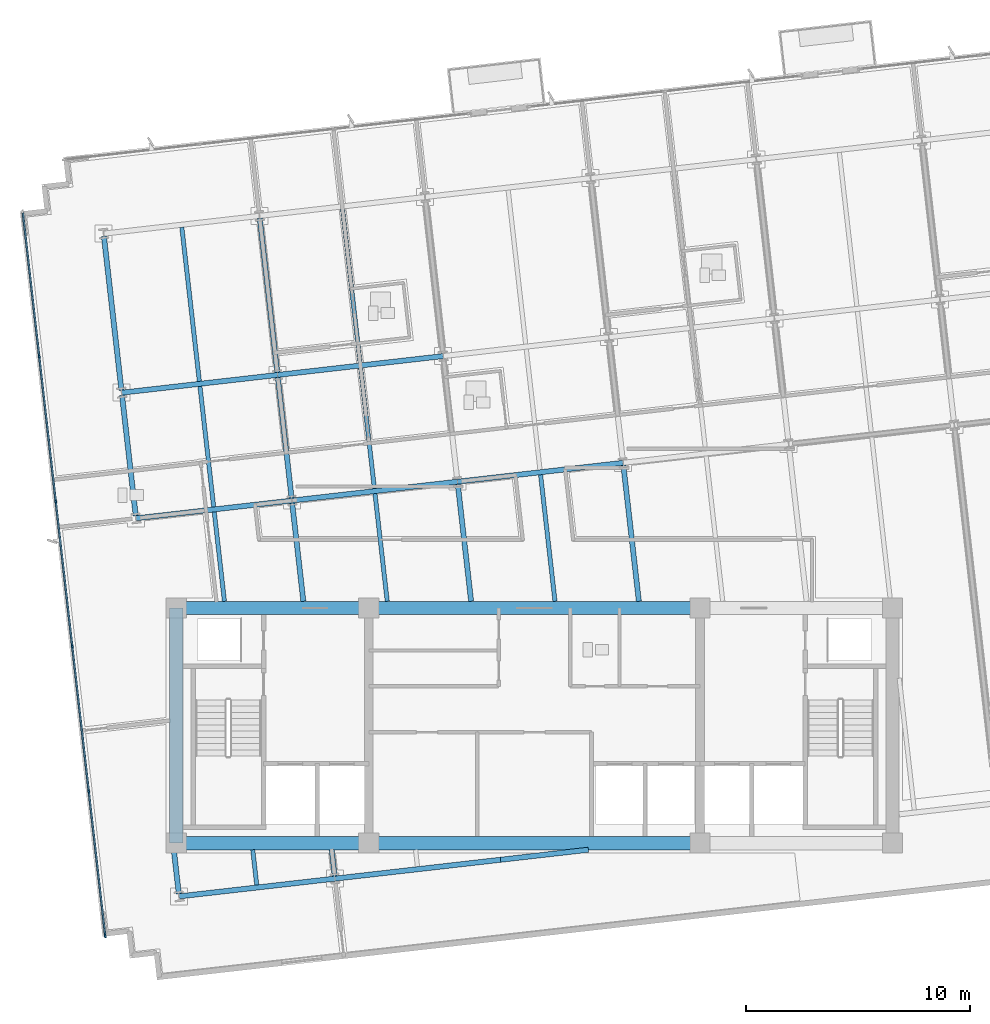
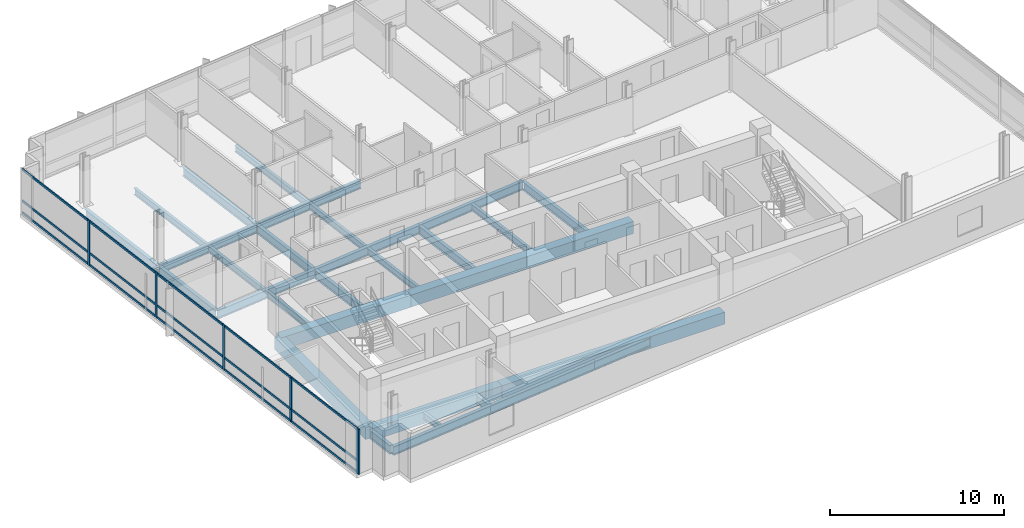
# One storey, part 2 of 16: 30 beams, 20 members, 1 element without a shape of its own.
"""IFC4 building model written with IfcOpenShell, lengths in metres."""

from ifc_helpers import new_model, si_unit, direction, frame, origin, origin_2d, place, context, subcontext, project, spatial, rectangle, i_section, extrude, material, material_profile, profile_set, type_object, element, aggregate, save


model = new_model("IFC4")

# Units and contexts
model_context = context("Model", 3, precision=1e-05, world=origin(), true_north=direction((0.0, 1.0)))
body_context = subcontext(model_context, "Body", "Model", "MODEL_VIEW")
ifc_project = project(units=[si_unit("LENGTHUNIT", "METRE"), si_unit("AREAUNIT", "SQUARE_METRE"), si_unit("VOLUMEUNIT", "CUBIC_METRE"), si_unit("PLANEANGLEUNIT", "RADIAN"), si_unit("MASSUNIT", "GRAM", prefix="KILO")], contexts=[model_context])

# Site, building, storey
site_placement = place(None, origin())
site = spatial("IfcSite", under=ifc_project, at=site_placement, CompositionType="ELEMENT")
building_placement = place(site_placement, origin())
building = spatial("IfcBuilding", under=site, at=building_placement, Name="Solmavex Isthmus Hotel", CompositionType="ELEMENT")
storey_placement = place(building_placement, frame((0.0, 0.0, 205.5)))
storey = spatial("IfcBuildingStorey", under=building, at=storey_placement, Name="L55", CompositionType="ELEMENT", Elevation=205.5)

# Beams
ifc_material_1 = material(Name="Steel ASTM A992 Grade 50", Category="steel")
ifc_material_profile_1 = material_profile(ifc_material_1, i_section(OverallWidth=0.1904296875, OverallDepth=0.456787109375, WebThickness=0.009033203125, FlangeThickness=0.014404296875, FilletRadius=0.0126953125, at=origin_2d()), Name="W18X50")
ifc_profile_set_1 = profile_set([ifc_material_profile_1], Name="Steel ASTM A992 Grade 50")
beam_type_1 = type_object("IfcBeamType", Name="BM-BJ-W18X50", PredefinedType="JOIST", material=ifc_profile_set_1)
beam_1_placement = place(storey_placement, frame((-12.404052734375, -14.872314453125, -0.488525390625), z_axis=(-0.113242002738, 0.993567435465, 0.0), x_axis=(-0.993567435465, -0.113242002738, 0.0)))
element("IfcBeam", 1, at=beam_1_placement, inside=storey, type_object=beam_type_1, Name="Secondary Floor Joist L55-J01", PredefinedType="JOIST", context=body_context, shape_type="SweptSolid", body=[
    extrude(i_section(OverallWidth=0.1904296875, OverallDepth=0.456787109375, WebThickness=0.009033203125, FlangeThickness=0.014404296875, FilletRadius=0.0126953125, at=origin_2d()), origin(), (0.0, 0.0, 1.0), 1.58251953125),
])
beam_2_placement = place(storey_placement, frame((-13.847900390625, -2.199951171875, -0.488525390625), z_axis=(-0.113179724577, 0.993574531651, 0.0), x_axis=(-0.993574531651, -0.113179724577, 0.0)))
element("IfcBeam", 2, at=beam_2_placement, inside=storey, type_object=beam_type_1, Name="Secondary Floor Joist L55-J02", PredefinedType="JOIST", context=body_context, shape_type="SweptSolid", body=[
    extrude(i_section(OverallWidth=0.1904296875, OverallDepth=0.456787109375, WebThickness=0.009033203125, FlangeThickness=0.014404296875, FilletRadius=0.0126953125, at=origin_2d()), origin(), (0.0, 0.0, 1.0), 4.0166015625),
])
beam_3_placement = place(storey_placement, frame((-14.328369140625, 2.01708984375, -0.488525390625), z_axis=(-0.113189626161, 0.993573403695, 0.0), x_axis=(-0.993573403695, -0.113189626161, 0.0)))
element("IfcBeam", 3, at=beam_3_placement, inside=storey, type_object=beam_type_1, Name="Secondary Floor Joist L55-J03", PredefinedType="JOIST", context=body_context, shape_type="SweptSolid", body=[
    extrude(i_section(OverallWidth=0.1904296875, OverallDepth=0.456787109375, WebThickness=0.009033203125, FlangeThickness=0.014404296875, FilletRadius=0.0126953125, at=origin_2d()), origin(), (0.0, 0.0, 1.0), 5.42041015625),
])
beam_4_placement = place(storey_placement, frame((-14.9677734375, 7.62890625, -0.488525390625), z_axis=(-0.113202453846, 0.993571942258, 0.0), x_axis=(-0.993571942258, -0.113202453846, 0.0)))
element("IfcBeam", 4, at=beam_4_placement, inside=storey, type_object=beam_type_1, Name="Secondary Floor Joist L55-J04", PredefinedType="JOIST", context=body_context, shape_type="SweptSolid", body=[
    extrude(i_section(OverallWidth=0.1904296875, OverallDepth=0.456787109375, WebThickness=0.009033203125, FlangeThickness=0.014404296875, FilletRadius=0.0126953125, at=origin_2d()), origin(), (0.0, 0.0, 1.0), 6.9228515625),
])
beam_5_placement = place(storey_placement, frame((-6.57421875, -2.199951171875, -0.488525390625), z_axis=(-0.113193768539, 0.993572931779, 0.0), x_axis=(-0.993572931779, -0.113193768539, 0.0)))
element("IfcBeam", 5, at=beam_5_placement, inside=storey, type_object=beam_type_1, Name="Secondary Floor Joist L55-J06", PredefinedType="JOIST", context=body_context, shape_type="SweptSolid", body=[
    extrude(i_section(OverallWidth=0.1904296875, OverallDepth=0.456787109375, WebThickness=0.009033203125, FlangeThickness=0.014404296875, FilletRadius=0.0126953125, at=origin_2d()), origin(), (0.0, 0.0, 1.0), 4.83984375),
])
beam_6_placement = place(storey_placement, frame((-7.14794921875, 2.835205078125, -0.488525390625), z_axis=(-0.113189626161, 0.993573403695, 0.0), x_axis=(-0.993573403695, -0.113189626161, 0.0)))
element("IfcBeam", 6, at=beam_6_placement, inside=storey, type_object=beam_type_1, Name="Secondary Floor Joist L55-J07", PredefinedType="JOIST", context=body_context, shape_type="SweptSolid", body=[
    extrude(i_section(OverallWidth=0.1904296875, OverallDepth=0.456787109375, WebThickness=0.009033203125, FlangeThickness=0.014404296875, FilletRadius=0.0126953125, at=origin_2d()), origin(), (0.0, 0.0, 1.0), 5.42041015625),
])
beam_7_placement = place(storey_placement, frame((-7.787109375, 8.447021484375, -0.488525390625), z_axis=(-0.113202453846, 0.993571942258, 0.0), x_axis=(-0.993571942258, -0.113202453846, 0.0)))
element("IfcBeam", 7, at=beam_7_placement, inside=storey, type_object=beam_type_1, Name="Secondary Floor Joist L55-J08", PredefinedType="JOIST", context=body_context, shape_type="SweptSolid", body=[
    extrude(i_section(OverallWidth=0.1904296875, OverallDepth=0.456787109375, WebThickness=0.009033203125, FlangeThickness=0.014404296875, FilletRadius=0.0126953125, at=origin_2d()), origin(), (0.0, 0.0, 1.0), 6.9228515625),
])
beam_8_placement = place(storey_placement, frame((0.920166015625, -2.199951171875, -0.488525390625), z_axis=(-0.113219765873, 0.993569969663, 0.0), x_axis=(-0.993569969663, -0.113219765873, 0.0)))
element("IfcBeam", 8, at=beam_8_placement, inside=storey, type_object=beam_type_1, Name="Secondary Floor Joist L55-J09", PredefinedType="JOIST", context=body_context, shape_type="SweptSolid", body=[
    extrude(i_section(OverallWidth=0.1904296875, OverallDepth=0.456787109375, WebThickness=0.009033203125, FlangeThickness=0.014404296875, FilletRadius=0.0126953125, at=origin_2d()), origin(), (0.0, 0.0, 1.0), 5.6884765625),
])
ifc_material_profile_2 = material_profile(ifc_material_1, i_section(OverallWidth=0.227783203125, OverallDepth=0.602783203125, WebThickness=0.010498046875, FlangeThickness=0.014892578125, FilletRadius=0.01513671875, at=origin_2d()), Name="W24X68")
ifc_profile_set_2 = profile_set([ifc_material_profile_2], Name="Steel ASTM A992 Grade 50")
beam_type_2 = type_object("IfcBeamType", Name="BM-BM-W24X68", PredefinedType="BEAM", material=ifc_profile_set_2)
beam_9_placement = place(storey_placement, frame((-17.796875, 1.50732421875, -0.561279296875), z_axis=(0.993569675103, 0.113222350774, 0.0), x_axis=(-0.113222350774, 0.993569675103, 0.0)))
element("IfcBeam", 9, at=beam_9_placement, inside=storey, type_object=beam_type_2, Name="Floor Girder L55-UG06", PredefinedType="BEAM", context=body_context, shape_type="SweptSolid", body=[
    extrude(i_section(OverallWidth=0.227783203125, OverallDepth=0.602783203125, WebThickness=0.010498046875, FlangeThickness=0.014892578125, FilletRadius=0.01513671875, at=origin_2d()), origin(), (0.0, 0.0, 1.0), 7.008056640625),
])
beam_10_placement = place(storey_placement, frame((-10.833984375, 2.30078125, -0.561279296875), z_axis=(0.993574034044, 0.113184092846, 0.0), x_axis=(-0.113184092846, 0.993574034044, 0.0)))
element("IfcBeam", 10, at=beam_10_placement, inside=storey, type_object=beam_type_2, Name="Floor Girder L55-UG07", PredefinedType="BEAM", context=body_context, shape_type="SweptSolid", body=[
    extrude(i_section(OverallWidth=0.227783203125, OverallDepth=0.602783203125, WebThickness=0.010498046875, FlangeThickness=0.014892578125, FilletRadius=0.01513671875, at=origin_2d()), origin(), (0.0, 0.0, 1.0), 7.446044921875),
])
beam_11_placement = place(storey_placement, frame((-3.435791015625, 3.1435546875, -0.561279296875), z_axis=(0.993569926006, 0.113220148984, 0.0), x_axis=(-0.113220148984, 0.993569926006, 0.0)))
element("IfcBeam", 11, at=beam_11_placement, inside=storey, type_object=beam_type_2, Name="Floor Girder L55-UG08", PredefinedType="BEAM", context=body_context, shape_type="SweptSolid", body=[
    extrude(i_section(OverallWidth=0.227783203125, OverallDepth=0.602783203125, WebThickness=0.010498046875, FlangeThickness=0.014892578125, FilletRadius=0.01513671875, at=origin_2d()), origin(), (0.0, 0.0, 1.0), 7.44580078125),
])
beam_12_placement = place(storey_placement, frame((-18.436279296875, 7.119140625, -0.561279296875), z_axis=(0.99357359356, 0.113187959519, 0.0), x_axis=(-0.113187959519, 0.99357359356, 0.0)))
element("IfcBeam", 12, at=beam_12_placement, inside=storey, type_object=beam_type_2, Name="Floor Girder L55-UG12", PredefinedType="BEAM", context=body_context, shape_type="SweptSolid", body=[
    extrude(i_section(OverallWidth=0.227783203125, OverallDepth=0.602783203125, WebThickness=0.010498046875, FlangeThickness=0.014892578125, FilletRadius=0.01513671875, at=origin_2d()), origin(), (0.0, 0.0, 1.0), 7.0078125),
])
beam_13_placement = place(storey_placement, frame((-11.473388671875, 7.912353515625, -0.561279296875), z_axis=(0.9935703463, 0.113216460607, 0.0), x_axis=(-0.113216460607, 0.9935703463, 0.0)))
element("IfcBeam", 13, at=beam_13_placement, inside=storey, type_object=beam_type_2, Name="Floor Girder L55-UG13", PredefinedType="BEAM", context=body_context, shape_type="SweptSolid", body=[
    extrude(i_section(OverallWidth=0.227783203125, OverallDepth=0.602783203125, WebThickness=0.010498046875, FlangeThickness=0.014892578125, FilletRadius=0.01513671875, at=origin_2d()), origin(), (0.0, 0.0, 1.0), 7.446044921875),
])
beam_14_placement = place(storey_placement, frame((-8.922607421875, -14.4755859375, -0.561279296875), z_axis=(-0.113284703976, 0.993562567655, 0.0), x_axis=(-0.993562567655, -0.113284703976, 0.0)))
element("IfcBeam", 14, at=beam_14_placement, inside=storey, type_object=beam_type_2, Name="Floor Beam L55-VG27", PredefinedType="BEAM", context=body_context, shape_type="SweptSolid", body=[
    extrude(i_section(OverallWidth=0.227783203125, OverallDepth=0.602783203125, WebThickness=0.010498046875, FlangeThickness=0.014892578125, FilletRadius=0.01513671875, at=origin_2d()), origin(), (0.0, 0.0, 1.0), 1.18310546875),
])
beam_15_placement = place(storey_placement, frame((-10.3212890625, -2.199951171875, -0.561279296875), z_axis=(-0.113173914695, 0.993575193447, 0.0), x_axis=(-0.993575193447, -0.113173914695, 0.0)))
element("IfcBeam", 15, at=beam_15_placement, inside=storey, type_object=beam_type_2, Name="Floor Beam L55-VG28", PredefinedType="BEAM", context=body_context, shape_type="SweptSolid", body=[
    extrude(i_section(OverallWidth=0.227783203125, OverallDepth=0.602783203125, WebThickness=0.010498046875, FlangeThickness=0.014892578125, FilletRadius=0.01513671875, at=origin_2d()), origin(), (0.0, 0.0, 1.0), 4.415771484375),
])
beam_16_placement = place(storey_placement, frame((-10.846923828125, 2.413818359375, -0.561279296875), z_axis=(-0.113189626161, 0.993573403695, 0.0), x_axis=(-0.993573403695, -0.113189626161, 0.0)))
element("IfcBeam", 16, at=beam_16_placement, inside=storey, type_object=beam_type_2, Name="Floor Beam L55-VG29", PredefinedType="BEAM", context=body_context, shape_type="SweptSolid", body=[
    extrude(i_section(OverallWidth=0.227783203125, OverallDepth=0.602783203125, WebThickness=0.010498046875, FlangeThickness=0.014892578125, FilletRadius=0.01513671875, at=origin_2d()), origin(), (0.0, 0.0, 1.0), 5.42041015625),
])
beam_17_placement = place(storey_placement, frame((-11.486328125, 8.025634765625, -0.561279296875), z_axis=(-0.113202453846, 0.993571942258, 0.0), x_axis=(-0.993571942258, -0.113202453846, 0.0)))
element("IfcBeam", 17, at=beam_17_placement, inside=storey, type_object=beam_type_2, Name="Floor Beam L55-VG30", PredefinedType="BEAM", context=body_context, shape_type="SweptSolid", body=[
    extrude(i_section(OverallWidth=0.227783203125, OverallDepth=0.602783203125, WebThickness=0.010498046875, FlangeThickness=0.014892578125, FilletRadius=0.01513671875, at=origin_2d()), origin(), (0.0, 0.0, 1.0), 6.9228515625),
])
beam_18_placement = place(storey_placement, frame((-2.8271484375, -2.199951171875, -0.561279296875), z_axis=(-0.113159423971, 0.993576843916, 0.0), x_axis=(-0.993576843916, -0.113159423971, 0.0)))
element("IfcBeam", 18, at=beam_18_placement, inside=storey, type_object=beam_type_2, Name="Floor Beam L55-VG31", PredefinedType="BEAM", context=body_context, shape_type="SweptSolid", body=[
    extrude(i_section(OverallWidth=0.227783203125, OverallDepth=0.602783203125, WebThickness=0.010498046875, FlangeThickness=0.014892578125, FilletRadius=0.01513671875, at=origin_2d()), origin(), (0.0, 0.0, 1.0), 5.26416015625),
])
beam_19_placement = place(storey_placement, frame((4.667236328125, -2.199951171875, -0.561279296875), z_axis=(-0.113232304752, 0.993568540746, 0.0), x_axis=(-0.993568540746, -0.113232304752, 0.0)))
element("IfcBeam", 19, at=beam_19_placement, inside=storey, type_object=beam_type_2, Name="Floor Beam L55-VG34", PredefinedType="BEAM", context=body_context, shape_type="SweptSolid", body=[
    extrude(i_section(OverallWidth=0.227783203125, OverallDepth=0.602783203125, WebThickness=0.010498046875, FlangeThickness=0.014892578125, FilletRadius=0.01513671875, at=origin_2d()), origin(), (0.0, 0.0, 1.0), 6.112548828125),
])
ifc_material_2 = material(Name="Concrete C50/60", Category="concrete")
ifc_material_profile_3 = material_profile(ifc_material_2, rectangle(XDim=0.60009765625, YDim=0.85009765625, at=origin_2d()), Name="RC600X850")
ifc_profile_set_3 = profile_set([ifc_material_profile_3], Name="Concrete C50/60")
beam_type_3 = type_object("IfcBeamType", Name="BM-CB-600X850", PredefinedType="BEAM", material=ifc_profile_set_3)
beam_20_placement = place(storey_placement, frame((-16.0, -13.0, -0.68505859375), z_axis=(1.0, 0.0, 0.0), x_axis=(0.0, 1.0, 0.0)))
element("IfcBeam", 20, at=beam_20_placement, inside=storey, type_object=beam_type_3, Name="Core Coupling Beam L55-CB1", PredefinedType="BEAM", context=body_context, shape_type="SweptSolid", body=[
    extrude(rectangle(XDim=0.60009765625, YDim=0.85009765625, at=origin_2d()), origin(), (0.0, 0.0, 1.0), 8.60009765625),
])
beam_21_placement = place(storey_placement, frame((-7.39990234375, -13.0, -0.68505859375), z_axis=(1.0, 0.0, 0.0), x_axis=(0.0, 1.0, 0.0)))
element("IfcBeam", 21, at=beam_21_placement, inside=storey, type_object=beam_type_3, Name="Core Coupling Beam L55-CB2", PredefinedType="BEAM", context=body_context, shape_type="SweptSolid", body=[
    extrude(rectangle(XDim=0.60009765625, YDim=0.85009765625, at=origin_2d()), origin(), (0.0, 0.0, 1.0), 14.7998046875),
])
beam_22_placement = place(storey_placement, frame((-16.0, -2.5, -0.68505859375), z_axis=(1.0, 0.0, 0.0), x_axis=(0.0, 1.0, 0.0)))
element("IfcBeam", 22, at=beam_22_placement, inside=storey, type_object=beam_type_3, Name="Core Coupling Beam L55-CB4", PredefinedType="BEAM", context=body_context, shape_type="SweptSolid", body=[
    extrude(rectangle(XDim=0.60009765625, YDim=0.85009765625, at=origin_2d()), origin(), (0.0, 0.0, 1.0), 8.60009765625),
])
beam_23_placement = place(storey_placement, frame((-7.39990234375, -2.5, -0.68505859375), z_axis=(1.0, 0.0, 0.0), x_axis=(0.0, 1.0, 0.0)))
element("IfcBeam", 23, at=beam_23_placement, inside=storey, type_object=beam_type_3, Name="Core Coupling Beam L55-CB5", PredefinedType="BEAM", context=body_context, shape_type="SweptSolid", body=[
    extrude(rectangle(XDim=0.60009765625, YDim=0.85009765625, at=origin_2d()), origin(), (0.0, 0.0, 1.0), 14.7998046875),
])
beam_24_placement = place(storey_placement, frame((-16.0, -13.0, -0.68505859375), z_axis=(0.0, 1.0, 0.0), x_axis=(-1.0, 0.0, 0.0)))
element("IfcBeam", 24, at=beam_24_placement, inside=storey, type_object=beam_type_3, Name="Core Coupling Beam L55-CB7", PredefinedType="BEAM", context=body_context, shape_type="SweptSolid", body=[
    extrude(rectangle(XDim=0.60009765625, YDim=0.85009765625, at=origin_2d()), origin(), (0.0, 0.0, 1.0), 10.5),
])
ifc_material_profile_4 = material_profile(ifc_material_1, i_section(OverallWidth=0.230224609375, OverallDepth=0.617431640625, WebThickness=0.01318359375, FlangeThickness=0.022216796875, FilletRadius=0.01513671875, at=origin_2d()), Name="W24X94")
ifc_profile_set_4 = profile_set([ifc_material_profile_4], Name="Steel ASTM A992 Grade 50")
beam_type_4 = type_object("IfcBeamType", Name="BM-SP-W24X94", PredefinedType="SPANDREL", material=ifc_profile_set_4)
beam_25_placement = place(storey_placement, frame((-15.87255859375, -15.38330078125, -0.56884765625), z_axis=(0.993574039862, 0.113184041777, 0.0), x_axis=(-0.113184041777, 0.993574039862, 0.0)))
element("IfcBeam", 25, at=beam_25_placement, inside=storey, type_object=beam_type_4, Name="Floor Girder L55-UG01", PredefinedType="SPANDREL", context=body_context, shape_type="SweptSolid", body=[
    extrude(i_section(OverallWidth=0.230224609375, OverallDepth=0.617431640625, WebThickness=0.01318359375, FlangeThickness=0.022216796875, FilletRadius=0.01513671875, at=origin_2d()), origin(), (0.0, 0.0, 1.0), 7.008056640625),
])
beam_26_placement = place(storey_placement, frame((-8.909423828125, -14.590087890625, -0.56884765625), z_axis=(0.993569926006, 0.113220148984, 0.0), x_axis=(-0.113220148984, 0.993569926006, 0.0)))
element("IfcBeam", 26, at=beam_26_placement, inside=storey, type_object=beam_type_4, Name="Floor Girder L55-UG02", PredefinedType="SPANDREL", context=body_context, shape_type="SweptSolid", body=[
    extrude(i_section(OverallWidth=0.230224609375, OverallDepth=0.617431640625, WebThickness=0.01318359375, FlangeThickness=0.022216796875, FilletRadius=0.01513671875, at=origin_2d()), origin(), (0.0, 0.0, 1.0), 7.44580078125),
])
beam_27_placement = place(storey_placement, frame((-1.511474609375, -13.7470703125, -0.56884765625), z_axis=(0.993575434773, 0.113171796023, 0.0), x_axis=(-0.113171796023, 0.993575434773, 0.0)))
element("IfcBeam", 27, at=beam_27_placement, inside=storey, type_object=beam_type_4, Name="Floor Girder L55-UG03", PredefinedType="SPANDREL", context=body_context, shape_type="SweptSolid", body=[
    extrude(i_section(OverallWidth=0.230224609375, OverallDepth=0.617431640625, WebThickness=0.01318359375, FlangeThickness=0.022216796875, FilletRadius=0.01513671875, at=origin_2d()), origin(), (0.0, 0.0, 1.0), 3.949951171875),
])
beam_28_placement = place(storey_placement, frame((-15.885498046875, -15.268798828125, -0.56884765625), z_axis=(-0.113230368519, 0.993568761408, 0.0), x_axis=(-0.993568761408, -0.113230368519, 0.0)))
element("IfcBeam", 28, at=beam_28_placement, inside=storey, type_object=beam_type_4, Name="Floor Beam L55-VG24", PredefinedType="SPANDREL", context=body_context, shape_type="SweptSolid", body=[
    extrude(i_section(OverallWidth=0.230224609375, OverallDepth=0.617431640625, WebThickness=0.01318359375, FlangeThickness=0.022216796875, FilletRadius=0.01513671875, at=origin_2d()), origin(), (0.0, 0.0, 1.0), 1.9814453125),
])
beam_29_placement = place(storey_placement, frame((-17.809814453125, 1.62060546875, -0.56884765625), z_axis=(-0.113194691868, 0.993572826587, 0.0), x_axis=(-0.993572826587, -0.113194691868, 0.0)))
element("IfcBeam", 29, at=beam_29_placement, inside=storey, type_object=beam_type_4, Name="Floor Beam L55-VG25", PredefinedType="SPANDREL", context=body_context, shape_type="SweptSolid", body=[
    extrude(i_section(OverallWidth=0.230224609375, OverallDepth=0.617431640625, WebThickness=0.01318359375, FlangeThickness=0.022216796875, FilletRadius=0.01513671875, at=origin_2d()), origin(), (0.0, 0.0, 1.0), 5.420166015625),
])
beam_30_placement = place(storey_placement, frame((-18.44921875, 7.232177734375, -0.56884765625), z_axis=(-0.113202453846, 0.993571942258, 0.0), x_axis=(-0.993571942258, -0.113202453846, 0.0)))
element("IfcBeam", 30, at=beam_30_placement, inside=storey, type_object=beam_type_4, Name="Floor Beam L55-VG26", PredefinedType="SPANDREL", context=body_context, shape_type="SweptSolid", body=[
    extrude(i_section(OverallWidth=0.230224609375, OverallDepth=0.617431640625, WebThickness=0.01318359375, FlangeThickness=0.022216796875, FilletRadius=0.01513671875, at=origin_2d()), origin(), (0.0, 0.0, 1.0), 6.9228515625),
])

# Curtain wall, members
ifc_material_3 = material(Name="Aluminium alloy 6063-T6", Category="aluminium")
curtain_wall_type = type_object("IfcCurtainWallType", Name="CW-SYS-04", PredefinedType="NOTDEFINED", material=ifc_material_3)
curtain_wall_placement = place(storey_placement, origin())
curtain_wall = element("IfcCurtainWall", 31, at=curtain_wall_placement, inside=storey, type_object=curtain_wall_type, Name="Stick Curtain Wall CWL-L55-W1", PredefinedType="NOTDEFINED")
ifc_material_profile_5 = material_profile(ifc_material_3, rectangle(XDim=0.074951171875, YDim=0.199951171875, at=origin_2d()), Name="CWM-75X200")
ifc_profile_set_5 = profile_set([ifc_material_profile_5], Name="Aluminium alloy 6063-T6")
member_type_1 = type_object("IfcMemberType", Name="CW-SYS-04-MUL", PredefinedType="MULLION", material=ifc_profile_set_5)
member_1_placement = place(storey_placement, frame((-19.17578125, -17.131103515625, 0.0), z_axis=(0.0, 0.0, 1.0), x_axis=(-0.993571836648, -0.11320338078, 0.0)))
member_1 = element("IfcMember", 32, at=member_1_placement, type_object=member_type_1, Name="CW-04 mullion 1", PredefinedType="MULLION", context=body_context, shape_type="SweptSolid", body=[
    extrude(rectangle(XDim=0.074951171875, YDim=0.199951171875, at=origin_2d()), origin(), (0.0, 0.0, 1.0), 3.18994140625),
])
member_2_placement = place(storey_placement, frame((-19.90966796875, -10.690185546875, 0.0), z_axis=(0.0, 0.0, 1.0), x_axis=(-0.993571836648, -0.11320338078, 0.0)))
member_2 = element("IfcMember", 33, at=member_2_placement, type_object=member_type_1, Name="CW-04 mullion 2", PredefinedType="MULLION", context=body_context, shape_type="SweptSolid", body=[
    extrude(rectangle(XDim=0.074951171875, YDim=0.199951171875, at=origin_2d()), origin(), (0.0, 0.0, 1.0), 3.18994140625),
])
member_3_placement = place(storey_placement, frame((-20.647705078125, -4.212158203125, 0.0), z_axis=(0.0, 0.0, 1.0), x_axis=(-0.993571836648, -0.11320338078, 0.0)))
member_3 = element("IfcMember", 34, at=member_3_placement, type_object=member_type_1, Name="CW-04 mullion 3", PredefinedType="MULLION", context=body_context, shape_type="SweptSolid", body=[
    extrude(rectangle(XDim=0.074951171875, YDim=0.199951171875, at=origin_2d()), origin(), (0.0, 0.0, 1.0), 3.18994140625),
])
member_4_placement = place(storey_placement, frame((-21.385986328125, 2.265869140625, 0.0), z_axis=(0.0, 0.0, 1.0), x_axis=(-0.993571836648, -0.11320338078, 0.0)))
member_4 = element("IfcMember", 35, at=member_4_placement, type_object=member_type_1, Name="CW-04 mullion 4", PredefinedType="MULLION", context=body_context, shape_type="SweptSolid", body=[
    extrude(rectangle(XDim=0.074951171875, YDim=0.199951171875, at=origin_2d()), origin(), (0.0, 0.0, 1.0), 3.18994140625),
])
member_5_placement = place(storey_placement, frame((-22.1240234375, 8.744140625, 0.0), z_axis=(0.0, 0.0, 1.0), x_axis=(-0.993571836648, -0.11320338078, 0.0)))
member_5 = element("IfcMember", 36, at=member_5_placement, type_object=member_type_1, Name="CW-04 mullion 5", PredefinedType="MULLION", context=body_context, shape_type="SweptSolid", body=[
    extrude(rectangle(XDim=0.074951171875, YDim=0.199951171875, at=origin_2d()), origin(), (0.0, 0.0, 1.0), 3.18994140625),
])
ifc_material_profile_6 = material_profile(ifc_material_3, rectangle(XDim=0.074951171875, YDim=0.14990234375, at=origin_2d()), Name="CWT-75X150")
ifc_profile_set_6 = profile_set([ifc_material_profile_6], Name="Aluminium alloy 6063-T6")
member_type_2 = type_object("IfcMemberType", Name="CW-SYS-04-TRN", PredefinedType="USERDEFINED", material=ifc_profile_set_6)
member_6_placement = place(storey_placement, frame((-19.18017578125, -17.09375, 0.074951171875), z_axis=(-0.113203780919, 0.993571791058, 0.0), x_axis=(-0.993571791058, -0.113203780919, 0.0)))
member_6 = element("IfcMember", 37, at=member_6_placement, type_object=member_type_2, Name="CW-04 transom 1.1", ObjectType="TRANSOM", PredefinedType="USERDEFINED", context=body_context, shape_type="SweptSolid", body=[
    extrude(rectangle(XDim=0.074951171875, YDim=0.14990234375, at=origin_2d()), origin(), (0.0, 0.0, 1.0), 6.407470703125),
])
member_7_placement = place(storey_placement, frame((-19.18017578125, -17.09375, 0.89990234375), z_axis=(-0.113203780919, 0.993571791058, 0.0), x_axis=(-0.993571791058, -0.113203780919, 0.0)))
member_7 = element("IfcMember", 38, at=member_7_placement, type_object=member_type_2, Name="CW-04 transom 1.2", ObjectType="TRANSOM", PredefinedType="USERDEFINED", context=body_context, shape_type="SweptSolid", body=[
    extrude(rectangle(XDim=0.074951171875, YDim=0.14990234375, at=origin_2d()), origin(), (0.0, 0.0, 1.0), 6.407470703125),
])
member_8_placement = place(storey_placement, frame((-19.18017578125, -17.09375, 3.114990234375), z_axis=(-0.113203780919, 0.993571791058, 0.0), x_axis=(-0.993571791058, -0.113203780919, 0.0)))
member_8 = element("IfcMember", 39, at=member_8_placement, type_object=member_type_2, Name="CW-04 transom 1.3", ObjectType="TRANSOM", PredefinedType="USERDEFINED", context=body_context, shape_type="SweptSolid", body=[
    extrude(rectangle(XDim=0.074951171875, YDim=0.14990234375, at=origin_2d()), origin(), (0.0, 0.0, 1.0), 6.407470703125),
])
member_9_placement = place(storey_placement, frame((-19.9140625, -10.653076171875, 0.074951171875), z_axis=(-0.113187617296, 0.993573632546, 0.0), x_axis=(-0.993573632546, -0.113187617296, 0.0)))
member_9 = element("IfcMember", 40, at=member_9_placement, type_object=member_type_2, Name="CW-04 transom 2.1", ObjectType="TRANSOM", PredefinedType="USERDEFINED", context=body_context, shape_type="SweptSolid", body=[
    extrude(rectangle(XDim=0.074951171875, YDim=0.14990234375, at=origin_2d()), origin(), (0.0, 0.0, 1.0), 6.445068359375),
])
member_10_placement = place(storey_placement, frame((-19.9140625, -10.653076171875, 0.89990234375), z_axis=(-0.113187617296, 0.993573632546, 0.0), x_axis=(-0.993573632546, -0.113187617296, 0.0)))
member_10 = element("IfcMember", 41, at=member_10_placement, type_object=member_type_2, Name="CW-04 transom 2.2", ObjectType="TRANSOM", PredefinedType="USERDEFINED", context=body_context, shape_type="SweptSolid", body=[
    extrude(rectangle(XDim=0.074951171875, YDim=0.14990234375, at=origin_2d()), origin(), (0.0, 0.0, 1.0), 6.445068359375),
])
member_11_placement = place(storey_placement, frame((-19.9140625, -10.653076171875, 3.114990234375), z_axis=(-0.113187617296, 0.993573632546, 0.0), x_axis=(-0.993573632546, -0.113187617296, 0.0)))
member_11 = element("IfcMember", 42, at=member_11_placement, type_object=member_type_2, Name="CW-04 transom 2.3", ObjectType="TRANSOM", PredefinedType="USERDEFINED", context=body_context, shape_type="SweptSolid", body=[
    extrude(rectangle(XDim=0.074951171875, YDim=0.14990234375, at=origin_2d()), origin(), (0.0, 0.0, 1.0), 6.445068359375),
])
member_12_placement = place(storey_placement, frame((-20.652099609375, -4.1748046875, 0.074951171875), z_axis=(-0.113187617296, 0.993573632546, 0.0), x_axis=(-0.993573632546, -0.113187617296, 0.0)))
member_12 = element("IfcMember", 43, at=member_12_placement, type_object=member_type_2, Name="CW-04 transom 3.1", ObjectType="TRANSOM", PredefinedType="USERDEFINED", context=body_context, shape_type="SweptSolid", body=[
    extrude(rectangle(XDim=0.074951171875, YDim=0.14990234375, at=origin_2d()), origin(), (0.0, 0.0, 1.0), 6.445068359375),
])
member_13_placement = place(storey_placement, frame((-20.652099609375, -4.1748046875, 0.89990234375), z_axis=(-0.113187617296, 0.993573632546, 0.0), x_axis=(-0.993573632546, -0.113187617296, 0.0)))
member_13 = element("IfcMember", 44, at=member_13_placement, type_object=member_type_2, Name="CW-04 transom 3.2", ObjectType="TRANSOM", PredefinedType="USERDEFINED", context=body_context, shape_type="SweptSolid", body=[
    extrude(rectangle(XDim=0.074951171875, YDim=0.14990234375, at=origin_2d()), origin(), (0.0, 0.0, 1.0), 6.445068359375),
])
member_14_placement = place(storey_placement, frame((-20.652099609375, -4.1748046875, 3.114990234375), z_axis=(-0.113187617296, 0.993573632546, 0.0), x_axis=(-0.993573632546, -0.113187617296, 0.0)))
member_14 = element("IfcMember", 45, at=member_14_placement, type_object=member_type_2, Name="CW-04 transom 3.3", ObjectType="TRANSOM", PredefinedType="USERDEFINED", context=body_context, shape_type="SweptSolid", body=[
    extrude(rectangle(XDim=0.074951171875, YDim=0.14990234375, at=origin_2d()), origin(), (0.0, 0.0, 1.0), 6.445068359375),
])
member_15_placement = place(storey_placement, frame((-21.39013671875, 2.30322265625, 0.074951171875), z_axis=(-0.113187617296, 0.993573632546, 0.0), x_axis=(-0.993573632546, -0.113187617296, 0.0)))
member_15 = element("IfcMember", 46, at=member_15_placement, type_object=member_type_2, Name="CW-04 transom 4.1", ObjectType="TRANSOM", PredefinedType="USERDEFINED", context=body_context, shape_type="SweptSolid", body=[
    extrude(rectangle(XDim=0.074951171875, YDim=0.14990234375, at=origin_2d()), origin(), (0.0, 0.0, 1.0), 6.445068359375),
])
member_16_placement = place(storey_placement, frame((-21.39013671875, 2.30322265625, 0.89990234375), z_axis=(-0.113187617296, 0.993573632546, 0.0), x_axis=(-0.993573632546, -0.113187617296, 0.0)))
member_16 = element("IfcMember", 47, at=member_16_placement, type_object=member_type_2, Name="CW-04 transom 4.2", ObjectType="TRANSOM", PredefinedType="USERDEFINED", context=body_context, shape_type="SweptSolid", body=[
    extrude(rectangle(XDim=0.074951171875, YDim=0.14990234375, at=origin_2d()), origin(), (0.0, 0.0, 1.0), 6.445068359375),
])
member_17_placement = place(storey_placement, frame((-21.39013671875, 2.30322265625, 3.114990234375), z_axis=(-0.113187617296, 0.993573632546, 0.0), x_axis=(-0.993573632546, -0.113187617296, 0.0)))
member_17 = element("IfcMember", 48, at=member_17_placement, type_object=member_type_2, Name="CW-04 transom 4.3", ObjectType="TRANSOM", PredefinedType="USERDEFINED", context=body_context, shape_type="SweptSolid", body=[
    extrude(rectangle(XDim=0.074951171875, YDim=0.14990234375, at=origin_2d()), origin(), (0.0, 0.0, 1.0), 6.445068359375),
])
member_18_placement = place(storey_placement, frame((-22.128173828125, 8.78125, 0.074951171875), z_axis=(-0.113199495412, 0.993572279323, 0.0), x_axis=(-0.993572279323, -0.113199495412, 0.0)))
member_18 = element("IfcMember", 49, at=member_18_placement, type_object=member_type_2, Name="CW-04 transom 5.1", ObjectType="TRANSOM", PredefinedType="USERDEFINED", context=body_context, shape_type="SweptSolid", body=[
    extrude(rectangle(XDim=0.074951171875, YDim=0.14990234375, at=origin_2d()), origin(), (0.0, 0.0, 1.0), 6.40771484375),
])
member_19_placement = place(storey_placement, frame((-22.128173828125, 8.78125, 0.89990234375), z_axis=(-0.113199495412, 0.993572279323, 0.0), x_axis=(-0.993572279323, -0.113199495412, 0.0)))
member_19 = element("IfcMember", 50, at=member_19_placement, type_object=member_type_2, Name="CW-04 transom 5.2", ObjectType="TRANSOM", PredefinedType="USERDEFINED", context=body_context, shape_type="SweptSolid", body=[
    extrude(rectangle(XDim=0.074951171875, YDim=0.14990234375, at=origin_2d()), origin(), (0.0, 0.0, 1.0), 6.40771484375),
])
member_20_placement = place(storey_placement, frame((-22.128173828125, 8.78125, 3.114990234375), z_axis=(-0.113199495412, 0.993572279323, 0.0), x_axis=(-0.993572279323, -0.113199495412, 0.0)))
member_20 = element("IfcMember", 51, at=member_20_placement, type_object=member_type_2, Name="CW-04 transom 5.3", ObjectType="TRANSOM", PredefinedType="USERDEFINED", context=body_context, shape_type="SweptSolid", body=[
    extrude(rectangle(XDim=0.074951171875, YDim=0.14990234375, at=origin_2d()), origin(), (0.0, 0.0, 1.0), 6.40771484375),
])
aggregate(curtain_wall, [member_1, member_2, member_3, member_4, member_5, member_6, member_7, member_8, member_9, member_10, member_11, member_12, member_13, member_14, member_15, member_16, member_17, member_18, member_19, member_20])

save(model, "model.ifc")
